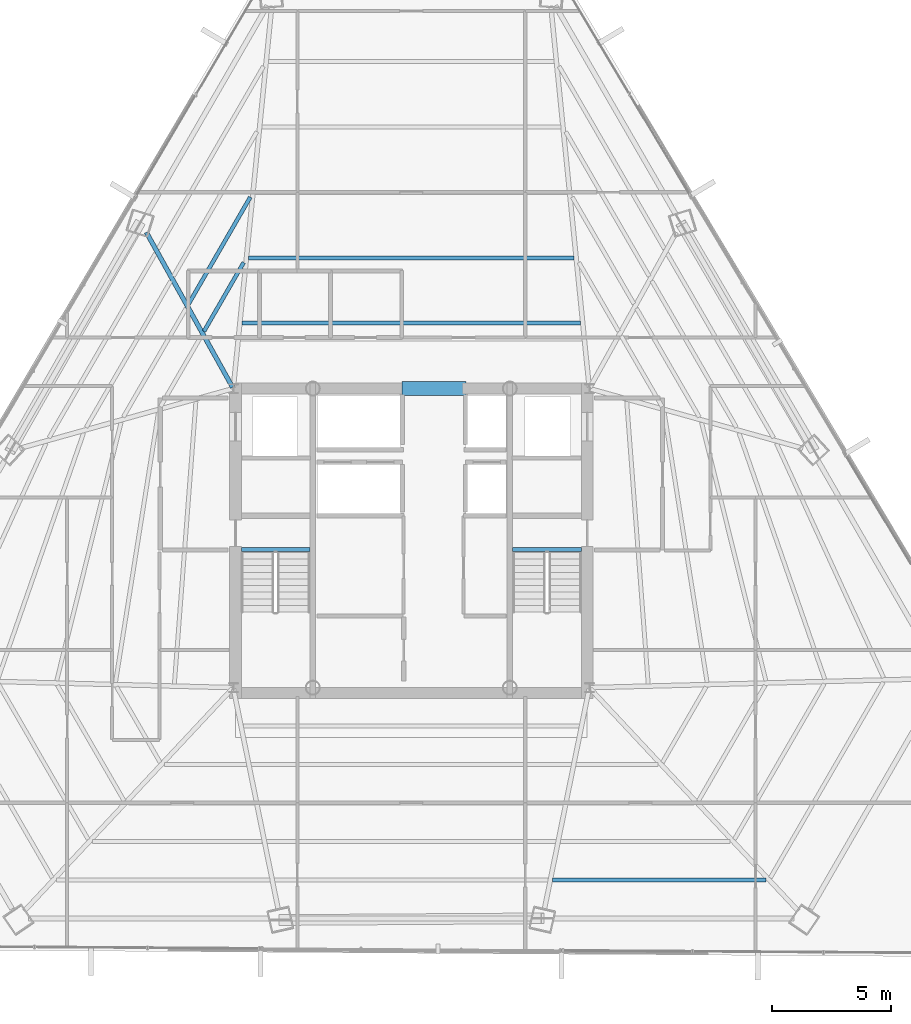
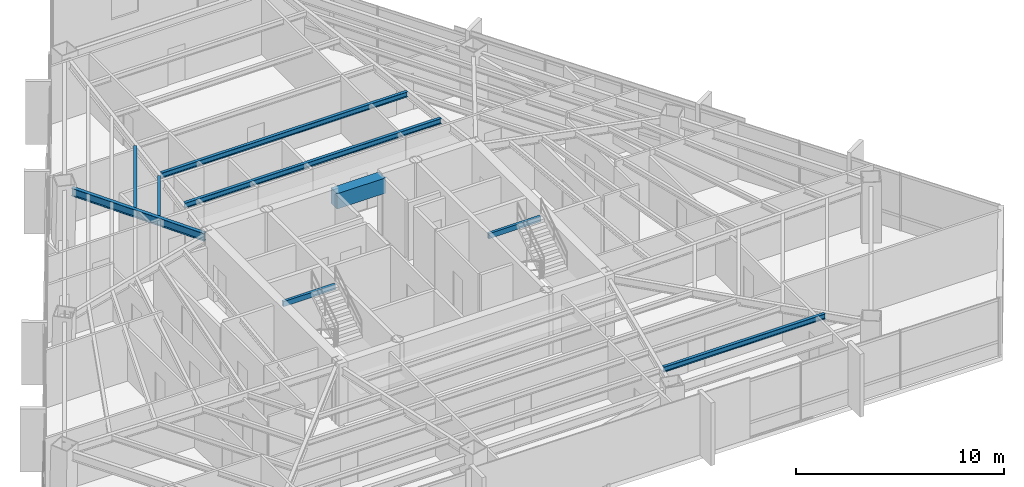
# One storey, part 16 of 41: 9 beams.
"""IFC4 building model written with IfcOpenShell, lengths in metres."""

import ifcopenshell
import ifcopenshell.guid

model = None  # the IFC model being written
_history = None  # IfcOwnerHistory: only IFC2X3 demands one
_inside = {}  # id of a spatial element -> (the spatial element, [elements in it])
_under = {}  # id of a project, library or spatial element -> (it, [spatial elements below it])
_declared = {}  # id of a project -> (the project, [libraries it declares])
_typed = {}  # id of a type object -> (the type object, [elements of that type])
_made_of = {}  # id of a material, layer set ... -> (it, [elements and type objects made of it])


def new_model(schema):
    """Start an empty IFC model of exactly this schema.

    Asked for "IFC4X3", IfcOpenShell would pick the latest addendum, in which some entities
    have other attributes; the version numbers below select the first issue.
    IFC2X3 requires an IfcOwnerHistory on every rooted entity: one is made here for all.
    """
    global model, _history
    if schema == "IFC4X3":
        model = ifcopenshell.file(schema_version=(4, 3, 0, 0))
    else:
        model = ifcopenshell.file(schema=schema)
    _inside.clear()
    _under.clear()
    _declared.clear()
    _typed.clear()
    _made_of.clear()
    _history = None
    if model.schema == "IFC2X3":
        org = make("IfcOrganization", Name="unknown")
        user = make(
            "IfcPersonAndOrganization",
            ThePerson=make("IfcPerson", FamilyName="unknown"),
            TheOrganization=org,
        )
        app = make(
            "IfcApplication",
            ApplicationDeveloper=org,
            Version="unknown",
            ApplicationFullName="unknown",
            ApplicationIdentifier="unknown",
        )
        _history = make(
            "IfcOwnerHistory",
            OwningUser=user,
            OwningApplication=app,
            ChangeAction="ADDED",
            CreationDate=0,
        )
    return model


def make(cls, **values):
    """One entity of the class cls with the attributes given. An attribute that is None is left unset."""
    return model.create_entity(
        cls, **{name: value for name, value in values.items() if value is not None}
    )


def rooted(cls, **values):
    """An entity with a GlobalId (a new one), such as an element, a storey or a relation."""
    return make(cls, GlobalId=ifcopenshell.guid.new(), OwnerHistory=_history, **values)


def si_unit(unit_type, name, prefix=None):
    """IfcSIUnit, for example si_unit("LENGTHUNIT", "METRE", prefix="MILLI")."""
    return make("IfcSIUnit", UnitType=unit_type, Prefix=prefix, Name=name)


def assignment(units):
    """IfcUnitAssignment: the units of a project."""
    return None if units is None else make("IfcUnitAssignment", Units=units)


def point(xyz):
    """IfcCartesianPoint."""
    return None if xyz is None else make("IfcCartesianPoint", Coordinates=xyz)


def direction(xyz):
    """IfcDirection."""
    return None if xyz is None else make("IfcDirection", DirectionRatios=xyz)


def frame(location, z_axis=None, x_axis=None):
    """IfcAxis2Placement3D, a coordinate frame: its origin and axes. An axis left out is left unset."""
    return make(
        "IfcAxis2Placement3D",
        Location=point(location),
        Axis=direction(z_axis),
        RefDirection=direction(x_axis),
    )


def frame_2d(location, x_axis=None):
    """IfcAxis2Placement2D, a coordinate frame in the plane: its origin and x axis."""
    return make(
        "IfcAxis2Placement2D", Location=point(location), RefDirection=direction(x_axis)
    )


def origin():
    """The frame at (0, 0, 0) with its axes left unset."""
    return frame((0.0, 0.0, 0.0))


def origin_2d():
    """The frame at (0, 0) in the plane with its x axis left unset."""
    return frame_2d((0.0, 0.0))


def place(relative_to, where):
    """IfcLocalPlacement: puts the frame where relative to a parent placement (None: the world)."""
    return make(
        "IfcLocalPlacement", PlacementRelTo=relative_to, RelativePlacement=where
    )


def context(
    kind, dimensions, precision=None, world=None, true_north=None, identifier=None
):
    """IfcGeometricRepresentationContext, for example the 3D "Model" context."""
    return make(
        "IfcGeometricRepresentationContext",
        ContextIdentifier=identifier,
        ContextType=kind,
        CoordinateSpaceDimension=dimensions,
        Precision=precision,
        WorldCoordinateSystem=world,
        TrueNorth=true_north,
    )


def subcontext(parent, identifier, kind, view, scale=None):
    """IfcGeometricRepresentationSubContext, for example "Body" below "Model"."""
    return make(
        "IfcGeometricRepresentationSubContext",
        ContextIdentifier=identifier,
        ContextType=kind,
        ParentContext=parent,
        TargetScale=scale,
        TargetView=view,
    )


def project(units=None, contexts=None):
    """IfcProject with its units and contexts."""
    return rooted(
        "IfcProject",
        Name="project",
        RepresentationContexts=contexts,
        UnitsInContext=assignment(units),
    )


def spatial(cls, under=None, at=None, **own):
    """A site, building, storey or space (cls), placed at a placement, below another one or the project."""
    s = rooted(cls, ObjectPlacement=at, **own)
    if under is not None:
        _under.setdefault(under.id(), (under, []))[1].append(s)
    return s


def profile(cls, at=None, kind="AREA", **sizes):
    """A parametric profile (cls). Its sizes go by their IFC names, for example OverallWidth=200.0."""
    return make(cls, ProfileType=kind, Position=at, **sizes)


def rectangle(**sizes):
    """IfcRectangleProfileDef."""
    return profile("IfcRectangleProfileDef", **sizes)


def hollow_rectangle(**sizes):
    """IfcRectangleHollowProfileDef."""
    return profile("IfcRectangleHollowProfileDef", **sizes)


def i_section(**sizes):
    """IfcIShapeProfileDef."""
    return profile("IfcIShapeProfileDef", **sizes)


def extrude(swept, where, along, depth):
    """IfcExtrudedAreaSolid: the profile swept, set in the frame where, extruded along a direction by depth."""
    return make(
        "IfcExtrudedAreaSolid",
        SweptArea=swept,
        Position=where,
        ExtrudedDirection=direction(along),
        Depth=depth,
    )


def shape(context_of_items, identifier, shape_type, items):
    """IfcShapeRepresentation: the items that make up one representation, for example the "Body"."""
    return make(
        "IfcShapeRepresentation",
        ContextOfItems=context_of_items,
        RepresentationIdentifier=identifier,
        RepresentationType=shape_type,
        Items=items,
    )


def source(mapping_origin, context_of_items, identifier, shape_type, items):
    """IfcRepresentationMap: a shape defined once, which mapped items show again and again."""
    return make(
        "IfcRepresentationMap",
        MappingOrigin=mapping_origin,
        MappedRepresentation=shape(context_of_items, identifier, shape_type, items),
    )


def transform(
    local_origin,
    x_axis=None,
    y_axis=None,
    z_axis=None,
    scale=None,
    scale2=None,
    scale3=None,
    uniform=True,
):
    """IfcCartesianTransformationOperator3D, or its non-uniform kind. x_axis, y_axis, z_axis: its Axis1, 2, 3."""
    if uniform:
        return make(
            "IfcCartesianTransformationOperator3D",
            Axis1=direction(x_axis),
            Axis2=direction(y_axis),
            LocalOrigin=point(local_origin),
            Scale=scale,
            Axis3=direction(z_axis),
        )
    return make(
        "IfcCartesianTransformationOperator3DnonUniform",
        Axis1=direction(x_axis),
        Axis2=direction(y_axis),
        LocalOrigin=point(local_origin),
        Scale=scale,
        Axis3=direction(z_axis),
        Scale2=scale2,
        Scale3=scale3,
    )


def mapped(mapping_source, mapping_target):
    """IfcMappedItem: shows the shape of a source again, moved by a transform."""
    return make(
        "IfcMappedItem", MappingSource=mapping_source, MappingTarget=mapping_target
    )


def material(Name=None, Category=None):
    """IfcMaterial."""
    return make("IfcMaterial", Name=Name, Category=Category)


def material_profile(
    of_material, cross_section, Name=None, Category=None, Priority=None
):
    """IfcMaterialProfile: a cross section and its material."""
    return make(
        "IfcMaterialProfile",
        Name=Name,
        Material=of_material,
        Profile=cross_section,
        Priority=Priority,
        Category=Category,
    )


def profile_set(profiles, Name=None, composite=None):
    """IfcMaterialProfileSet."""
    return make(
        "IfcMaterialProfileSet",
        Name=Name,
        MaterialProfiles=profiles,
        CompositeProfile=composite,
    )


def made_of(thing, what):
    """Note that an element or type object is made of a material, layer set ...; save() writes the relation."""
    if what is not None:
        _made_of.setdefault(what.id(), (what, []))[1].append(thing)
    return thing


def type_object(cls, material=None, **own):
    """A type object (cls), such as IfcWallType, which elements share."""
    return made_of(rooted(cls, **own), material)


def type_shapes(of_type, sources):
    """Give a type object the sources (RepresentationMaps) that its elements show as mapped items."""
    of_type.RepresentationMaps = sources


def element(
    cls,
    number,
    at=None,
    inside=None,
    cuts=None,
    type_object=None,
    material=None,
    context=None,
    identifier="Body",
    shape_type=None,
    held_by="IfcProductDefinitionShape",
    body=None,
    shapes=None,
    **own,
):
    """One element of the class cls, such as IfcWall. Its Tag is "e" and its number.

    at: its placement. inside: the storey or other place that contains it. cuts: it is an
    opening in that element (IfcRelVoidsElement). A single representation is given by context,
    identifier, shape_type and body (its items); several are given by shapes. held_by: the class
    of the entity that holds the representations. save() writes the other relations.
    """
    e = rooted(cls, Tag="e%d" % number, ObjectPlacement=at, **own)
    if body is not None:
        shapes = [shape(context, identifier, shape_type, body)]
    if shapes is not None:
        e.Representation = make(held_by, Representations=shapes)
    if inside is not None:
        _inside.setdefault(inside.id(), (inside, []))[1].append(e)
    if cuts is not None:
        rooted(
            "IfcRelVoidsElement", RelatingBuildingElement=cuts, RelatedOpeningElement=e
        )
    if type_object is not None:
        _typed.setdefault(type_object.id(), (type_object, []))[1].append(e)
    return made_of(e, material)


def aggregate(whole, parts):
    """IfcRelAggregates: a whole, such as a stair, and the parts it consists of."""
    return rooted("IfcRelAggregates", RelatingObject=whole, RelatedObjects=parts)


def save(model, path):
    """Write the relations noted so far, then the file.

    IfcRelAggregates (storeys below a building ...), IfcRelContainedInSpatialStructure (elements
    in a storey), IfcRelDefinesByType, IfcRelAssociatesMaterial and IfcRelDeclares: one each for
    every whole, place, type object, material and project.
    """
    for whole, parts in _under.values():
        aggregate(whole, parts)
    for where, things in _inside.values():
        rooted(
            "IfcRelContainedInSpatialStructure",
            RelatedElements=things,
            RelatingStructure=where,
        )
    for kind, things in _typed.values():
        rooted("IfcRelDefinesByType", RelatedObjects=things, RelatingType=kind)
    for what, things in _made_of.values():
        rooted("IfcRelAssociatesMaterial", RelatedObjects=things, RelatingMaterial=what)
    for by, libraries in _declared.values():
        rooted("IfcRelDeclares", RelatingContext=by, RelatedDefinitions=libraries)
    model.write(path)


model = new_model("IFC4")

# Units and contexts
model_context = context("Model", 3, precision=1e-05, world=origin(), true_north=direction((0.0, 1.0)))
body_context = subcontext(model_context, "Body", "Model", "MODEL_VIEW")
ifc_project = project(units=[si_unit("LENGTHUNIT", "METRE"), si_unit("AREAUNIT", "SQUARE_METRE"), si_unit("VOLUMEUNIT", "CUBIC_METRE"), si_unit("PLANEANGLEUNIT", "RADIAN"), si_unit("MASSUNIT", "GRAM", prefix="KILO")], contexts=[model_context])

# Site, building, storey
site_placement = place(None, origin())
site = spatial("IfcSite", under=ifc_project, at=site_placement, CompositionType="ELEMENT")
building_placement = place(site_placement, origin())
building = spatial("IfcBuilding", under=site, at=building_placement, Name="Caelisora Broadcast Tower", CompositionType="ELEMENT")
storey_placement = place(building_placement, frame((0.0, 0.0, 169.449951171875)))
storey = spatial("IfcBuildingStorey", under=building, at=storey_placement, Name="L44", CompositionType="ELEMENT", Elevation=169.449951171875)

# Beams
ifc_material_1 = material(Name="Steel Grade 350 (AS/NZS 1163 C350L0)", Category="steel")
ifc_material_profile_1 = material_profile(ifc_material_1, hollow_rectangle(XDim=0.14990234375, YDim=0.300048828125, WallThickness=0.010009765625, at=origin_2d()), Name="Steel Grade 350 (AS/NZS 1163 C350L0)")
ifc_profile_set_1 = profile_set([ifc_material_profile_1], Name="Steel Grade 350 (AS/NZS 1163 C350L0)")
beam_type_1 = type_object("IfcBeamType", Name="SB05", PredefinedType="JOIST", material=ifc_profile_set_1)
shared_shape_1 = source(origin(), body_context, "Body", "SweptSolid", [
    extrude(hollow_rectangle(XDim=0.14990234375, YDim=0.300048828125, WallThickness=0.010009765625, at=origin_2d()), origin(), (0.0, 0.0, 1.0), 2.89990234375),
])
type_shapes(beam_type_1, [shared_shape_1])
for number, where, z_axis, x_axis, name in (
    (1, (30.840087890625, 23.219970703125, 3.25), (1.0, 0.0, 0.0), (0.0, 1.0, 0.0), "L44 beam SB05"),
    (2, (42.260009765625, 23.219970703125, 3.25), (1.0, 0.0, 0.0), (0.0, 1.0, 0.0), "L44 beam SB05"),
):
    element("IfcBeam", number, at=place(storey_placement, frame(where, z_axis=z_axis, x_axis=x_axis)), inside=storey, type_object=beam_type_1, Name=name, PredefinedType="JOIST", context=body_context, shape_type="MappedRepresentation", body=[
        mapped(shared_shape_1, transform((0.0, 0.0, 0.0), scale=1.0)),
    ])
ifc_material_2 = material(Name="Concrete 50 MPa (AS 3600 S50)", Category="concrete")
ifc_material_profile_2 = material_profile(ifc_material_2, rectangle(XDim=0.60009765625, YDim=0.89990234375, at=origin_2d()), Name="Concrete 50 MPa (AS 3600 S50)")
ifc_profile_set_2 = profile_set([ifc_material_profile_2], Name="Concrete 50 MPa (AS 3600 S50)")
beam_type_2 = type_object("IfcBeamType", Name="CB02", PredefinedType="LINTEL", material=ifc_profile_set_2)
shared_shape_2 = source(origin(), body_context, "Body", "SweptSolid", [
    extrude(rectangle(XDim=0.60009765625, YDim=0.89990234375, at=origin_2d()), origin(), (0.0, 0.0, 1.0), 2.699951171875),
])
type_shapes(beam_type_2, [shared_shape_2])
beam_1_placement = place(storey_placement, frame((37.60009765625, 30.0, 2.949951171875), z_axis=(1.0, 0.0, 0.0), x_axis=(0.0, 1.0, 0.0)))
element("IfcBeam", 3, at=beam_1_placement, inside=storey, type_object=beam_type_2, Name="L44 beam CB02", PredefinedType="LINTEL", context=body_context, shape_type="MappedRepresentation", body=[
    mapped(shared_shape_2, transform((0.0, 0.0, 0.0), scale=1.0)),
])
ifc_material_3 = material(Name="Steel Grade 350 (AS/NZS 3679.1)", Category="steel")
ifc_material_profile_3 = material_profile(ifc_material_3, i_section(OverallWidth=0.19091796875, OverallDepth=0.46044921875, WebThickness=0.010009765625, FlangeThickness=0.01611328125, at=origin_2d()), Name="Steel Grade 350 (AS/NZS 3679.1)")
ifc_profile_set_3 = profile_set([ifc_material_profile_3], Name="Steel Grade 350 (AS/NZS 3679.1)")
beam_type_3 = type_object("IfcBeamType", Name="PG06", PredefinedType="BEAM", material=ifc_profile_set_3)
shared_shape_3 = source(origin(), body_context, "Body", "SweptSolid", [
    extrude(i_section(OverallWidth=0.19091796875, OverallDepth=0.46044921875, WebThickness=0.010009765625, FlangeThickness=0.01611328125, at=origin_2d()), origin(), (0.0, 0.0, 1.0), 7.471923828125),
])
type_shapes(beam_type_3, [shared_shape_3])
beam_2_placement = place(storey_placement, frame((30.470703125, 30.052490234375, 3.169921875), z_axis=(-0.486222634732, 0.873834966956, 0.0), x_axis=(-0.873834966956, -0.486222634732, 0.0)))
element("IfcBeam", 4, at=beam_2_placement, inside=storey, type_object=beam_type_3, Name="L44 beam PG06", PredefinedType="BEAM", context=body_context, shape_type="MappedRepresentation", body=[
    mapped(shared_shape_3, transform((0.0, 0.0, 0.0), scale=1.0)),
])
ifc_material_profile_4 = material_profile(ifc_material_3, i_section(OverallWidth=0.166015625, OverallDepth=0.30712890625, WebThickness=0.006591796875, FlangeThickness=0.01171875, at=origin_2d()), Name="Steel Grade 350 (AS/NZS 3679.1)")
ifc_profile_set_4 = profile_set([ifc_material_profile_4], Name="Steel Grade 350 (AS/NZS 3679.1)")
beam_type_4 = type_object("IfcBeamType", Name="SB03", PredefinedType="JOIST", material=ifc_profile_set_4)
shared_shape_4 = source(origin(), body_context, "Body", "SweptSolid", [
    extrude(i_section(OverallWidth=0.166015625, OverallDepth=0.30712890625, WebThickness=0.006591796875, FlangeThickness=0.01171875, at=origin_2d()), origin(), (0.0, 0.0, 1.0), 14.25927734375),
])
beam_3_placement = place(storey_placement, frame((45.129638671875, 32.754638671875, 3.246337890625), z_axis=(-1.0, 0.0, 0.0), x_axis=(0.0, -1.0, 0.0)))
element("IfcBeam", 5, at=beam_3_placement, inside=storey, type_object=beam_type_4, Name="L44 beam SB03", PredefinedType="JOIST", context=body_context, shape_type="MappedRepresentation", body=[
    mapped(shared_shape_4, transform((0.0, 0.0, 0.0), scale=1.0)),
])
shared_shape_5 = source(origin(), body_context, "Body", "SweptSolid", [
    extrude(i_section(OverallWidth=0.166015625, OverallDepth=0.30712890625, WebThickness=0.006591796875, FlangeThickness=0.01171875, at=origin_2d()), origin(), (0.0, 0.0, 1.0), 13.70458984375),
])
beam_4_placement = place(storey_placement, frame((44.852294921875, 35.509521484375, 3.246337890625), z_axis=(-1.0, 0.0, 0.0), x_axis=(0.0, -1.0, 0.0)))
element("IfcBeam", 6, at=beam_4_placement, inside=storey, type_object=beam_type_4, Name="L44 beam SB03", PredefinedType="JOIST", context=body_context, shape_type="MappedRepresentation", body=[
    mapped(shared_shape_5, transform((0.0, 0.0, 0.0), scale=1.0)),
])
shared_shape_6 = source(origin(), body_context, "Body", "SweptSolid", [
    extrude(i_section(OverallWidth=0.166015625, OverallDepth=0.30712890625, WebThickness=0.006591796875, FlangeThickness=0.01171875, at=origin_2d()), origin(), (0.0, 0.0, 1.0), 3.349365234375),
])
beam_5_placement = place(storey_placement, frame((30.93994140625, 35.310546875, 3.246337890625), z_axis=(-0.499972744263, -0.866041139319, 0.0), x_axis=(0.866041139319, -0.499972744263, 0.0)))
element("IfcBeam", 7, at=beam_5_placement, inside=storey, type_object=beam_type_4, Name="L44 beam SB03", PredefinedType="JOIST", context=body_context, shape_type="MappedRepresentation", body=[
    mapped(shared_shape_6, transform((0.0, 0.0, 0.0), scale=1.0)),
])
shared_shape_7 = source(origin(), body_context, "Body", "SweptSolid", [
    extrude(i_section(OverallWidth=0.166015625, OverallDepth=0.30712890625, WebThickness=0.006591796875, FlangeThickness=0.01171875, at=origin_2d()), origin(), (0.0, 0.0, 1.0), 5.19287109375),
])
beam_6_placement = place(storey_placement, frame((31.21728515625, 38.065185546875, 3.246337890625), z_axis=(-0.500007335828, -0.866021168401, 0.0), x_axis=(0.866021168401, -0.500007335828, 0.0)))
element("IfcBeam", 8, at=beam_6_placement, inside=storey, type_object=beam_type_4, Name="L44 beam SB03", PredefinedType="JOIST", context=body_context, shape_type="MappedRepresentation", body=[
    mapped(shared_shape_7, transform((0.0, 0.0, 0.0), scale=1.0)),
])
shared_shape_8 = source(origin(), body_context, "Body", "SweptSolid", [
    extrude(i_section(OverallWidth=0.166015625, OverallDepth=0.30712890625, WebThickness=0.006591796875, FlangeThickness=0.01171875, at=origin_2d()), origin(), (0.0, 0.0, 1.0), 8.99560546875),
])
type_shapes(beam_type_4, [shared_shape_4, shared_shape_5, shared_shape_6, shared_shape_7, shared_shape_8])
beam_7_placement = place(storey_placement, frame((43.953369140625, 9.3017578125, 3.246337890625), z_axis=(1.0, 0.0, 0.0), x_axis=(0.0, 1.0, 0.0)))
element("IfcBeam", 9, at=beam_7_placement, inside=storey, type_object=beam_type_4, Name="L44 beam SB03", PredefinedType="JOIST", context=body_context, shape_type="MappedRepresentation", body=[
    mapped(shared_shape_8, transform((0.0, 0.0, 0.0), scale=1.0)),
])

save(model, "model.ifc")
